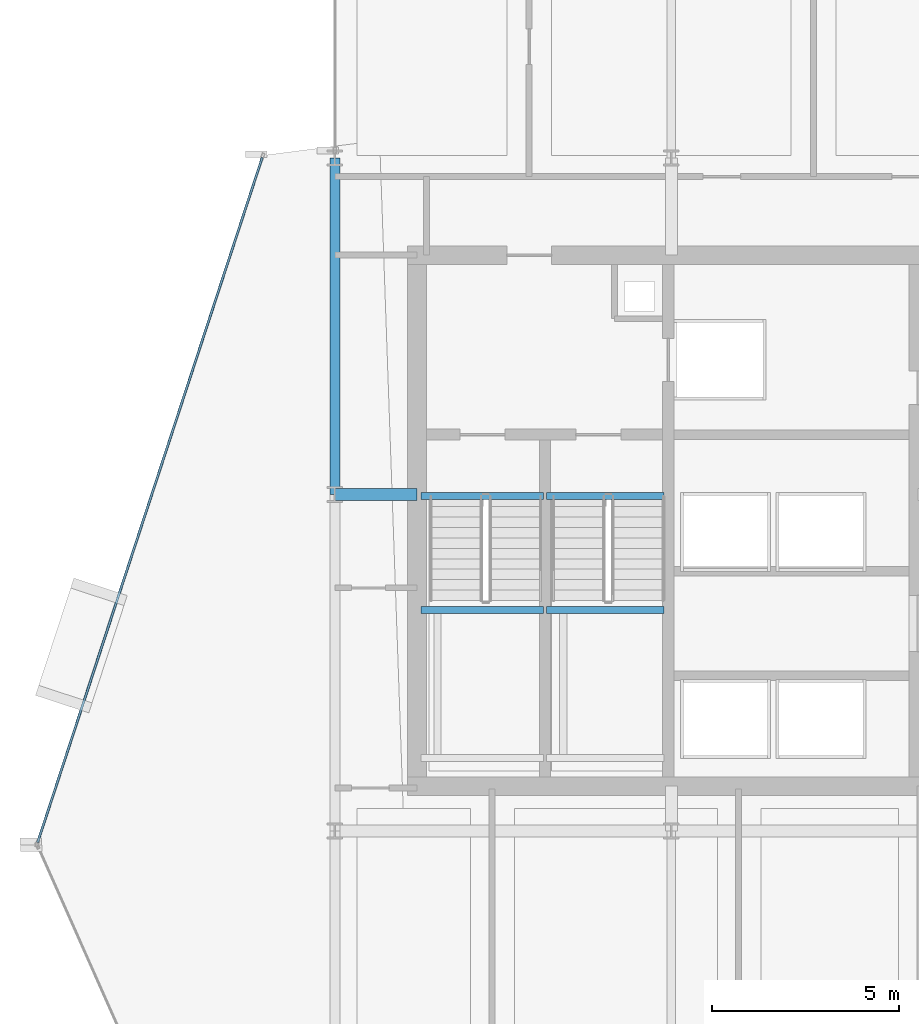
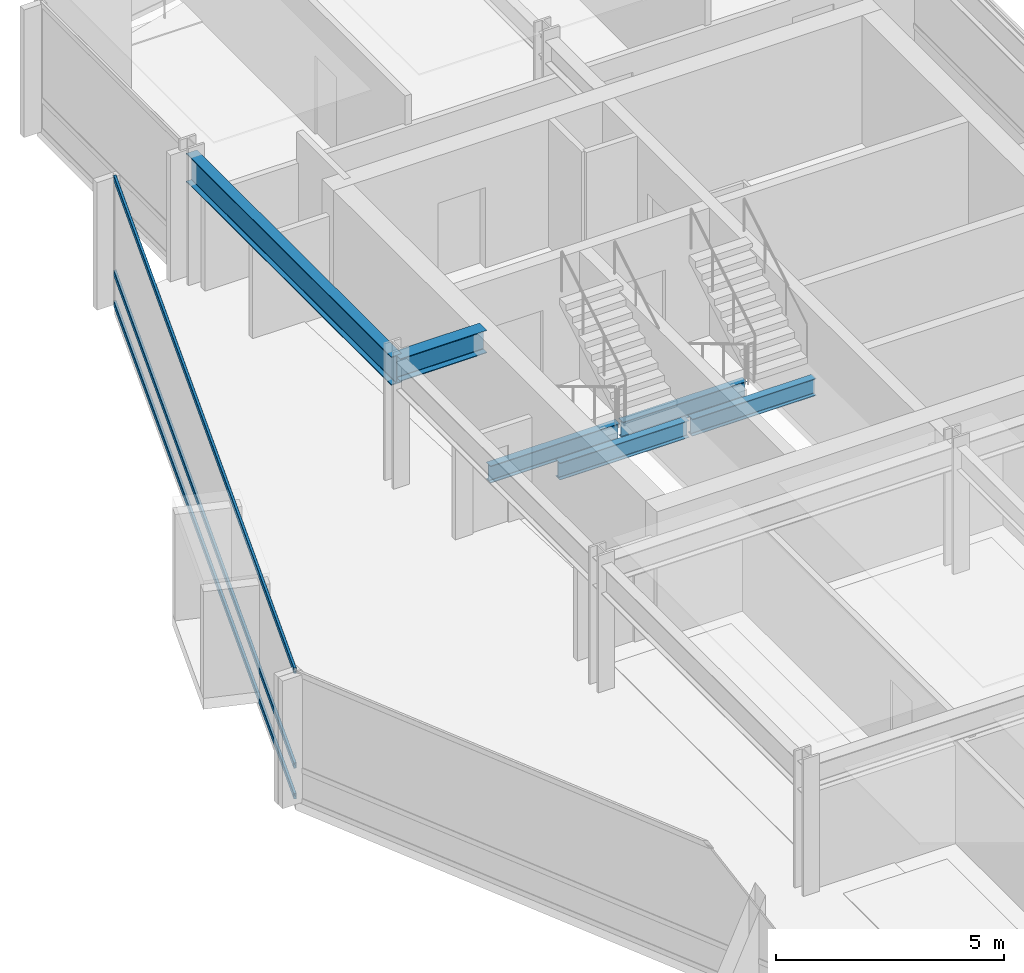
# One storey, part 15 of 28: 6 beams, 3 members, 1 element without a shape of its own.
"""IFC4 building model written with IfcOpenShell, lengths in metres."""

from ifc_helpers import new_model, si_unit, direction, frame, origin, origin_2d, place, context, subcontext, project, spatial, hollow_rectangle, i_section, extrude, material, layer, layer_set, material_profile, profile_set, type_object, element, aggregate, save


model = new_model("IFC4")

# Units and contexts
model_context = context("Model", 3, precision=1e-05, world=origin(), true_north=direction((0.0, 1.0)))
body_context = subcontext(model_context, "Body", "Model", "MODEL_VIEW")
ifc_project = project(units=[si_unit("LENGTHUNIT", "METRE"), si_unit("AREAUNIT", "SQUARE_METRE"), si_unit("VOLUMEUNIT", "CUBIC_METRE"), si_unit("PLANEANGLEUNIT", "RADIAN"), si_unit("MASSUNIT", "GRAM", prefix="KILO")], contexts=[model_context])

# Site, building, storey
site_placement = place(None, origin())
site = spatial("IfcSite", under=ifc_project, at=site_placement, CompositionType="ELEMENT")
building_placement = place(site_placement, origin())
building = spatial("IfcBuilding", under=site, at=building_placement, Name="Solvaryn Broadcast Tower", CompositionType="ELEMENT")
storey_placement = place(building_placement, frame((0.0, 0.0, 150.699951171875)))
storey = spatial("IfcBuildingStorey", under=building, at=storey_placement, Name="L37", CompositionType="ELEMENT", Elevation=150.699951171875)

# Beams
ifc_material_1 = material(Name="Steel ASTM A992 Grade 50", Category="steel")
ifc_material_profile_1 = material_profile(ifc_material_1, i_section(OverallWidth=0.323974609375, OverallDepth=0.611083984375, WebThickness=0.0126953125, FlangeThickness=0.01904296875, FilletRadius=0.014892578125, at=origin_2d()))
ifc_profile_set_1 = profile_set([ifc_material_profile_1], Name="Steel ASTM A992 Grade 50")
beam_type_1 = type_object("IfcBeamType", Name="BM-B1-W24X104", PredefinedType="BEAM", material=ifc_profile_set_1)
beam_1_placement = place(storey_placement, frame((9.0, 36.0, 3.114501953125), z_axis=(1.0, 0.0, 0.0), x_axis=(0.0, 1.0, 0.0)))
element("IfcBeam", 1, at=beam_1_placement, inside=storey, type_object=beam_type_1, Name="L37 Core Tie Beam CTW1", PredefinedType="BEAM", context=body_context, shape_type="SweptSolid", body=[
    extrude(i_section(OverallWidth=0.323974609375, OverallDepth=0.611083984375, WebThickness=0.0126953125, FlangeThickness=0.01904296875, FilletRadius=0.014892578125, at=origin_2d()), origin(), (0.0, 0.0, 1.0), 2.199951171875),
])
ifc_material_2 = material(Name="Steel ASTM A992 Grade 50", Category="steel")
ifc_material_profile_2 = material_profile(ifc_material_2, i_section(OverallWidth=0.18994140625, OverallDepth=0.45703125, WebThickness=0.009033203125, FlangeThickness=0.014404296875, FilletRadius=0.011962890625, at=origin_2d()))
ifc_profile_set_2 = profile_set([ifc_material_profile_2], Name="Steel ASTM A992 Grade 50")
beam_type_2 = type_object("IfcBeamType", Name="BM-B4-W18X50", PredefinedType="BEAM", material=ifc_profile_set_2)
for number, where, z_axis, x_axis, name in (
    (2, (11.300048828125, 35.9599609375, -0.508544921875), (1.0, 0.0, 0.0), (0.0, 1.0, 0.0), "L37 ST1 Stair Well Trimmer Beam"),
    (3, (11.300048828125, 32.909912109375, 1.421630859375), (1.0, 0.0, 0.0), (0.0, 1.0, 0.0), "L37 ST1 Landing Support Beam 1B"),
):
    element("IfcBeam", number, at=place(storey_placement, frame(where, z_axis=z_axis, x_axis=x_axis)), inside=storey, type_object=beam_type_2, Name=name, PredefinedType="BEAM", context=body_context, shape_type="SweptSolid", body=[
        extrude(i_section(OverallWidth=0.18994140625, OverallDepth=0.45703125, WebThickness=0.009033203125, FlangeThickness=0.014404296875, FilletRadius=0.011962890625, at=origin_2d()), origin(), (0.0, 0.0, 1.0), 3.280029296875),
    ])
for number, where, z_axis, x_axis, name in (
    (4, (14.659912109375, 35.9599609375, -0.508544921875), (1.0, 0.0, 0.0), (0.0, 1.0, 0.0), "L37 ST2 Stair Well Trimmer Beam"),
    (5, (14.659912109375, 32.909912109375, 1.421630859375), (1.0, 0.0, 0.0), (0.0, 1.0, 0.0), "L37 ST2 Landing Support Beam 1B"),
):
    element("IfcBeam", number, at=place(storey_placement, frame(where, z_axis=z_axis, x_axis=x_axis)), inside=storey, type_object=beam_type_2, Name=name, PredefinedType="BEAM", context=body_context, shape_type="SweptSolid", body=[
        extrude(i_section(OverallWidth=0.18994140625, OverallDepth=0.45703125, WebThickness=0.009033203125, FlangeThickness=0.014404296875, FilletRadius=0.011962890625, at=origin_2d()), origin(), (0.0, 0.0, 1.0), 3.14013671875),
    ])
ifc_material_3 = material(Name="Steel ASTM A992 Grade 50", Category="steel")
ifc_material_profile_3 = material_profile(ifc_material_3, i_section(OverallWidth=0.26708984375, OverallDepth=0.76611328125, WebThickness=0.014892578125, FlangeThickness=0.023681640625, FilletRadius=0.01806640625, at=origin_2d()))
ifc_profile_set_3 = profile_set([ifc_material_profile_3], Name="Steel ASTM A992 Grade 50")
beam_type_3 = type_object("IfcBeamType", Name="BM-SP2-W30X124", PredefinedType="USERDEFINED", material=ifc_profile_set_3)
beam_2_placement = place(storey_placement, frame((9.0, 36.0, 3.037109375), z_axis=(0.0, 1.0, 0.0), x_axis=(-1.0, 0.0, 0.0)))
element("IfcBeam", 6, at=beam_2_placement, inside=storey, type_object=beam_type_3, Name="L37 Spandrel Beam Y (36-45 @ X=9)", ObjectType="SPANDREL", PredefinedType="USERDEFINED", context=body_context, shape_type="SweptSolid", body=[
    extrude(i_section(OverallWidth=0.26708984375, OverallDepth=0.76611328125, WebThickness=0.014892578125, FlangeThickness=0.023681640625, FilletRadius=0.01806640625, at=origin_2d()), origin(), (0.0, 0.0, 1.0), 9.0),
])

# Curtain wall, members
ifc_material_4 = material(Name="Aluminium and Terracotta Unitised Curtain Wall", Category="masonry")
ifc_layer = layer(ifc_material_4, 0.199951171875)
ifc_layer_set = layer_set([ifc_layer], Name="CW-SYS2-LOWMID")
curtain_wall_type = type_object("IfcCurtainWallType", Name="CW-SYS2-LOWMID", PredefinedType="NOTDEFINED", material=ifc_layer_set)
curtain_wall_placement = place(storey_placement, origin())
curtain_wall = element("IfcCurtainWall", 7, at=curtain_wall_placement, inside=storey, type_object=curtain_wall_type, Name="L37 Curtain Wall DR1", PredefinedType="NOTDEFINED")
ifc_material_5 = material(Name="Anodised Aluminium 6063-T6", Category="aluminium")
ifc_material_profile_4 = material_profile(ifc_material_5, hollow_rectangle(XDim=0.06494140625, YDim=0.14990234375, WallThickness=0.00390625, InnerFilletRadius=0.00390625, OuterFilletRadius=0.008056640625, at=origin_2d()))
ifc_profile_set_4 = profile_set([ifc_material_profile_4], Name="Anodised Aluminium 6063-T6")
member_type = type_object("IfcMemberType", Name="CW-TRN-150", PredefinedType="USERDEFINED", material=ifc_profile_set_4)
member_1_placement = place(storey_placement, frame((7.060302734375, 45.010009765625, 0.030029296875), z_axis=(-0.31164571445, -0.950198373323, 0.0), x_axis=(0.950198373323, -0.31164571445, 0.0)))
member_1 = element("IfcMember", 8, at=member_1_placement, type_object=member_type, Name="CWS2 transom 1.1", ObjectType="TRANSOM", PredefinedType="USERDEFINED", context=body_context, shape_type="SweptSolid", body=[
    extrude(hollow_rectangle(XDim=0.06494140625, YDim=0.14990234375, WallThickness=0.00390625, InnerFilletRadius=0.00390625, OuterFilletRadius=0.008056640625, at=origin_2d()), origin(), (0.0, 0.0, 1.0), 19.27685546875),
])
member_2_placement = place(storey_placement, frame((7.060302734375, 45.010009765625, 0.85009765625), z_axis=(-0.31164571445, -0.950198373323, 0.0), x_axis=(0.950198373323, -0.31164571445, 0.0)))
member_2 = element("IfcMember", 9, at=member_2_placement, type_object=member_type, Name="CWS2 transom 1.2", ObjectType="TRANSOM", PredefinedType="USERDEFINED", context=body_context, shape_type="SweptSolid", body=[
    extrude(hollow_rectangle(XDim=0.06494140625, YDim=0.14990234375, WallThickness=0.00390625, InnerFilletRadius=0.00390625, OuterFilletRadius=0.008056640625, at=origin_2d()), origin(), (0.0, 0.0, 1.0), 19.27685546875),
])
member_3_placement = place(storey_placement, frame((7.060302734375, 45.010009765625, 3.39013671875), z_axis=(-0.31164571445, -0.950198373323, 0.0), x_axis=(0.950198373323, -0.31164571445, 0.0)))
member_3 = element("IfcMember", 10, at=member_3_placement, type_object=member_type, Name="CWS2 transom 1.3", ObjectType="TRANSOM", PredefinedType="USERDEFINED", context=body_context, shape_type="SweptSolid", body=[
    extrude(hollow_rectangle(XDim=0.06494140625, YDim=0.14990234375, WallThickness=0.00390625, InnerFilletRadius=0.00390625, OuterFilletRadius=0.008056640625, at=origin_2d()), origin(), (0.0, 0.0, 1.0), 19.27685546875),
])
aggregate(curtain_wall, [member_1, member_2, member_3])

save(model, "model.ifc")
